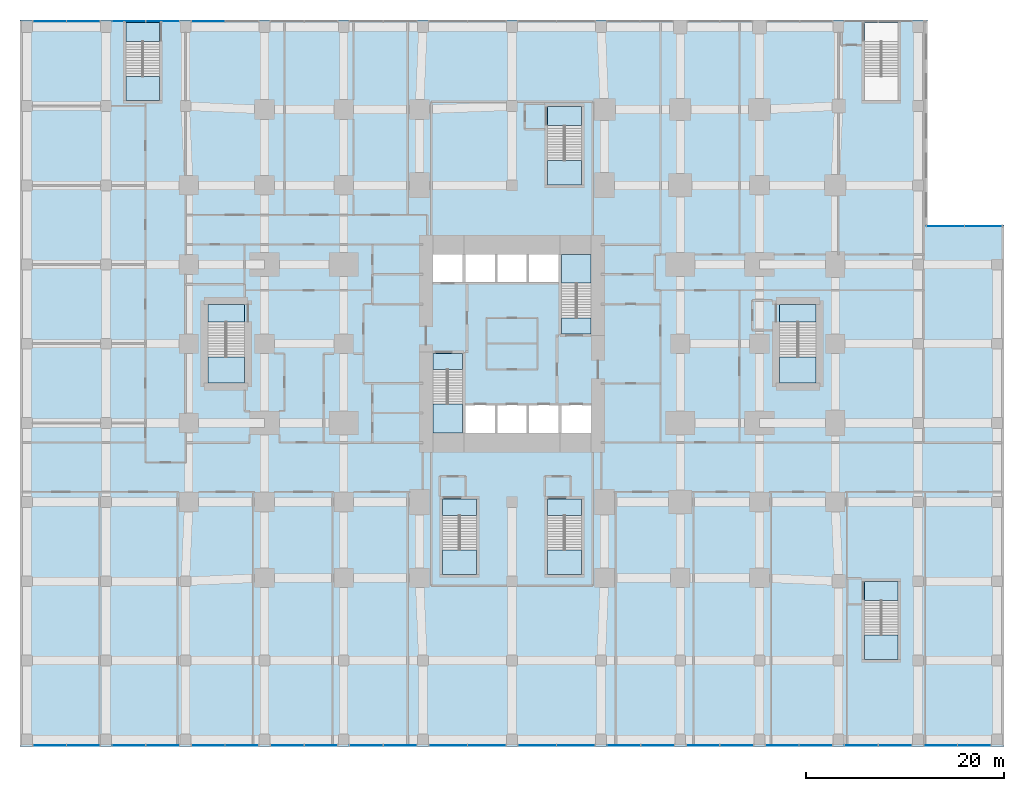
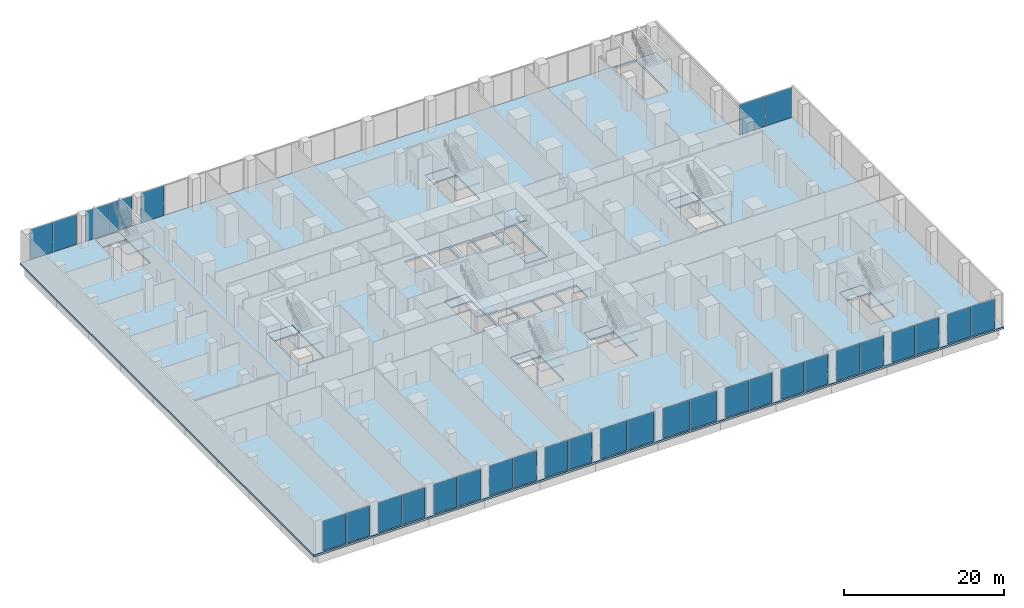
# One storey, part 9 of 22: 31 plates, 19 slabs, 25 elements without a shape of their own.
"""IFC4 building model written with IfcOpenShell, lengths in metres."""

from ifc_helpers import new_model, si_unit, direction, frame, origin, origin_2d, place, context, subcontext, project, spatial, polyline, rectangle, outline, extrude, material, layer, layer_set, type_object, element, aggregate, save


model = new_model("IFC4")

# Units and contexts
model_context = context("Model", 3, precision=1e-05, world=origin(), true_north=direction((0.0, 1.0)))
body_context = subcontext(model_context, "Body", "Model", "MODEL_VIEW")
ifc_project = project(units=[si_unit("LENGTHUNIT", "METRE"), si_unit("AREAUNIT", "SQUARE_METRE"), si_unit("VOLUMEUNIT", "CUBIC_METRE"), si_unit("PLANEANGLEUNIT", "RADIAN"), si_unit("MASSUNIT", "GRAM", prefix="KILO")], contexts=[model_context])

# Site, building, storey
site_placement = place(None, origin())
site = spatial("IfcSite", under=ifc_project, at=site_placement, CompositionType="ELEMENT")
building_placement = place(site_placement, origin())
building = spatial("IfcBuilding", under=site, at=building_placement, Name="Cleftline Residences", CompositionType="ELEMENT")
storey_placement = place(building_placement, frame((0.0, 0.0, 6.0)))
storey = spatial("IfcBuildingStorey", under=building, at=storey_placement, Name="L01", CompositionType="ELEMENT", Elevation=6.0)

# Curtain wall, plates
ifc_material_1 = material(Name="Aluminium framed curtain wall", Category="aluminium")
ifc_layer_1 = layer(ifc_material_1, 0.199951171875)
ifc_layer_set_1 = layer_set([ifc_layer_1], Name="CW2 PODIUM GLAZING")
curtain_wall_type = type_object("IfcCurtainWallType", Name="CW2 PODIUM GLAZING", PredefinedType="NOTDEFINED", material=ifc_layer_set_1)
curtain_wall_1_placement = place(storey_placement, origin())
curtain_wall_1 = element("IfcCurtainWall", 1, at=curtain_wall_1_placement, inside=storey, type_object=curtain_wall_type, Name="Curtain wall CW2", PredefinedType="NOTDEFINED")
ifc_material_2 = material(Name="Laminated clear glass", Category="glass")
ifc_layer_2 = layer(ifc_material_2, 0.028076171875)
ifc_layer_set_2 = layer_set([ifc_layer_2], Name="CW2 GLASS PANEL")
plate_type = type_object("IfcPlateType", Name="CW2 GLASS PANEL", PredefinedType="CURTAIN_PANEL", material=ifc_layer_set_2)
plate_1_placement = place(storey_placement, frame((80.617431640625, 35.875, 0.080078125), z_axis=(0.0, 0.0, 1.0), x_axis=(-1.0, 0.0, 0.0)))
plate_1 = element("IfcPlate", 2, at=plate_1_placement, type_object=plate_type, Name="CW2 panel 1.1", PredefinedType="CURTAIN_PANEL", context=body_context, shape_type="SweptSolid", body=[
    extrude(rectangle(XDim=3.7548828125, YDim=0.028076171875, at=origin_2d()), origin(), (0.0, 0.0, 1.0), 4.5400390625),
])
plate_2_placement = place(storey_placement, frame((76.782470703125, 35.875, 0.080078125), z_axis=(0.0, 0.0, 1.0), x_axis=(-1.0, 0.0, 0.0)))
plate_2 = element("IfcPlate", 3, at=plate_2_placement, type_object=plate_type, Name="CW2 panel 2.1", PredefinedType="CURTAIN_PANEL", context=body_context, shape_type="SweptSolid", body=[
    extrude(rectangle(XDim=3.7548828125, YDim=0.028076171875, at=origin_2d()), origin(), (0.0, 0.0, 1.0), 4.5400390625),
])
aggregate(curtain_wall_1, [plate_1, plate_2])

# Curtain wall, plate
curtain_wall_2_placement = place(storey_placement, origin())
curtain_wall_2 = element("IfcCurtainWall", 4, at=curtain_wall_2_placement, inside=storey, type_object=curtain_wall_type, Name="Curtain wall CW2", PredefinedType="NOTDEFINED")
plate_3_placement = place(storey_placement, frame((2.294921875, 56.574951171875, 0.080078125), z_axis=(0.0, 0.0, 1.0), x_axis=(-1.0, 0.0, 0.0)))
plate_3 = element("IfcPlate", 5, at=plate_3_placement, type_object=plate_type, Name="CW2 panel 2.1", PredefinedType="CURTAIN_PANEL", context=body_context, shape_type="SweptSolid", body=[
    extrude(rectangle(XDim=3.330078125, YDim=0.028076171875, at=origin_2d()), origin(), (0.0, 0.0, 1.0), 4.5400390625),
])
aggregate(curtain_wall_2, [plate_3])

# Curtain wall, plates
curtain_wall_3_placement = place(storey_placement, origin())
curtain_wall_3 = element("IfcCurtainWall", 6, at=curtain_wall_3_placement, inside=storey, type_object=curtain_wall_type, Name="Curtain wall CW2", PredefinedType="NOTDEFINED")
plate_4_placement = place(storey_placement, frame((-2.294921875, 56.574951171875, 0.080078125), z_axis=(0.0, 0.0, 1.0), x_axis=(-1.0, 0.0, 0.0)))
plate_4 = element("IfcPlate", 7, at=plate_4_placement, type_object=plate_type, Name="CW2 panel 1.1", PredefinedType="CURTAIN_PANEL", context=body_context, shape_type="SweptSolid", body=[
    extrude(rectangle(XDim=3.330078125, YDim=0.028076171875, at=origin_2d()), origin(), (0.0, 0.0, 1.0), 4.5400390625),
])
plate_5_placement = place(storey_placement, frame((-5.705078125, 56.574951171875, 0.080078125), z_axis=(0.0, 0.0, 1.0), x_axis=(-1.0, 0.0, 0.0)))
plate_5 = element("IfcPlate", 8, at=plate_5_placement, type_object=plate_type, Name="CW2 panel 2.1", PredefinedType="CURTAIN_PANEL", context=body_context, shape_type="SweptSolid", body=[
    extrude(rectangle(XDim=3.330078125, YDim=0.028076171875, at=origin_2d()), origin(), (0.0, 0.0, 1.0), 4.5400390625),
])
aggregate(curtain_wall_3, [plate_4, plate_5])

curtain_wall_4_placement = place(storey_placement, origin())
curtain_wall_4 = element("IfcCurtainWall", 9, at=curtain_wall_4_placement, inside=storey, type_object=curtain_wall_type, Name="Curtain wall CW2", PredefinedType="NOTDEFINED")
plate_6_placement = place(storey_placement, frame((-10.294921875, 56.574951171875, 0.080078125), z_axis=(0.0, 0.0, 1.0), x_axis=(-1.0, 0.0, 0.0)))
plate_6 = element("IfcPlate", 10, at=plate_6_placement, type_object=plate_type, Name="CW2 panel 1.1", PredefinedType="CURTAIN_PANEL", context=body_context, shape_type="SweptSolid", body=[
    extrude(rectangle(XDim=3.330078125, YDim=0.028076171875, at=origin_2d()), origin(), (0.0, 0.0, 1.0), 4.5400390625),
])
plate_7_placement = place(storey_placement, frame((-13.705078125, 56.574951171875, 0.080078125), z_axis=(0.0, 0.0, 1.0), x_axis=(-1.0, 0.0, 0.0)))
plate_7 = element("IfcPlate", 11, at=plate_7_placement, type_object=plate_type, Name="CW2 panel 2.1", PredefinedType="CURTAIN_PANEL", context=body_context, shape_type="SweptSolid", body=[
    extrude(rectangle(XDim=3.330078125, YDim=0.028076171875, at=origin_2d()), origin(), (0.0, 0.0, 1.0), 4.5400390625),
])
aggregate(curtain_wall_4, [plate_6, plate_7])

curtain_wall_5_placement = place(storey_placement, origin())
curtain_wall_5 = element("IfcCurtainWall", 12, at=curtain_wall_5_placement, inside=storey, type_object=curtain_wall_type, Name="Curtain wall CW2", PredefinedType="NOTDEFINED")
plate_8_placement = place(storey_placement, frame((-13.705078125, -16.574951171875, 0.080078125), z_axis=(0.0, 0.0, 1.0), x_axis=(1.0, 0.0, 0.0)))
plate_8 = element("IfcPlate", 13, at=plate_8_placement, type_object=plate_type, Name="CW2 panel 1.1", PredefinedType="CURTAIN_PANEL", context=body_context, shape_type="SweptSolid", body=[
    extrude(rectangle(XDim=3.330078125, YDim=0.028076171875, at=origin_2d()), origin(), (0.0, 0.0, 1.0), 4.5400390625),
])
plate_9_placement = place(storey_placement, frame((-10.294921875, -16.574951171875, 0.080078125), z_axis=(0.0, 0.0, 1.0), x_axis=(1.0, 0.0, 0.0)))
plate_9 = element("IfcPlate", 14, at=plate_9_placement, type_object=plate_type, Name="CW2 panel 2.1", PredefinedType="CURTAIN_PANEL", context=body_context, shape_type="SweptSolid", body=[
    extrude(rectangle(XDim=3.330078125, YDim=0.028076171875, at=origin_2d()), origin(), (0.0, 0.0, 1.0), 4.5400390625),
])
aggregate(curtain_wall_5, [plate_8, plate_9])

curtain_wall_6_placement = place(storey_placement, origin())
curtain_wall_6 = element("IfcCurtainWall", 15, at=curtain_wall_6_placement, inside=storey, type_object=curtain_wall_type, Name="Curtain wall CW2", PredefinedType="NOTDEFINED")
plate_10_placement = place(storey_placement, frame((-5.705078125, -16.574951171875, 0.080078125), z_axis=(0.0, 0.0, 1.0), x_axis=(1.0, 0.0, 0.0)))
plate_10 = element("IfcPlate", 16, at=plate_10_placement, type_object=plate_type, Name="CW2 panel 1.1", PredefinedType="CURTAIN_PANEL", context=body_context, shape_type="SweptSolid", body=[
    extrude(rectangle(XDim=3.330078125, YDim=0.028076171875, at=origin_2d()), origin(), (0.0, 0.0, 1.0), 4.5400390625),
])
plate_11_placement = place(storey_placement, frame((-2.294921875, -16.574951171875, 0.080078125), z_axis=(0.0, 0.0, 1.0), x_axis=(1.0, 0.0, 0.0)))
plate_11 = element("IfcPlate", 17, at=plate_11_placement, type_object=plate_type, Name="CW2 panel 2.1", PredefinedType="CURTAIN_PANEL", context=body_context, shape_type="SweptSolid", body=[
    extrude(rectangle(XDim=3.330078125, YDim=0.028076171875, at=origin_2d()), origin(), (0.0, 0.0, 1.0), 4.5400390625),
])
aggregate(curtain_wall_6, [plate_10, plate_11])

curtain_wall_7_placement = place(storey_placement, origin())
curtain_wall_7 = element("IfcCurtainWall", 18, at=curtain_wall_7_placement, inside=storey, type_object=curtain_wall_type, Name="Curtain wall CW2", PredefinedType="NOTDEFINED")
plate_12_placement = place(storey_placement, frame((2.294921875, -16.574951171875, 0.080078125), z_axis=(0.0, 0.0, 1.0), x_axis=(1.0, 0.0, 0.0)))
plate_12 = element("IfcPlate", 19, at=plate_12_placement, type_object=plate_type, Name="CW2 panel 1.1", PredefinedType="CURTAIN_PANEL", context=body_context, shape_type="SweptSolid", body=[
    extrude(rectangle(XDim=3.330078125, YDim=0.028076171875, at=origin_2d()), origin(), (0.0, 0.0, 1.0), 4.5400390625),
])
plate_13_placement = place(storey_placement, frame((5.705078125, -16.574951171875, 0.080078125), z_axis=(0.0, 0.0, 1.0), x_axis=(1.0, 0.0, 0.0)))
plate_13 = element("IfcPlate", 20, at=plate_13_placement, type_object=plate_type, Name="CW2 panel 2.1", PredefinedType="CURTAIN_PANEL", context=body_context, shape_type="SweptSolid", body=[
    extrude(rectangle(XDim=3.330078125, YDim=0.028076171875, at=origin_2d()), origin(), (0.0, 0.0, 1.0), 4.5400390625),
])
aggregate(curtain_wall_7, [plate_12, plate_13])

curtain_wall_8_placement = place(storey_placement, origin())
curtain_wall_8 = element("IfcCurtainWall", 21, at=curtain_wall_8_placement, inside=storey, type_object=curtain_wall_type, Name="Curtain wall CW2", PredefinedType="NOTDEFINED")
plate_14_placement = place(storey_placement, frame((10.294921875, -16.574951171875, 0.080078125), z_axis=(0.0, 0.0, 1.0), x_axis=(1.0, 0.0, 0.0)))
plate_14 = element("IfcPlate", 22, at=plate_14_placement, type_object=plate_type, Name="CW2 panel 1.1", PredefinedType="CURTAIN_PANEL", context=body_context, shape_type="SweptSolid", body=[
    extrude(rectangle(XDim=3.330078125, YDim=0.028076171875, at=origin_2d()), origin(), (0.0, 0.0, 1.0), 4.5400390625),
])
plate_15_placement = place(storey_placement, frame((13.705078125, -16.574951171875, 0.080078125), z_axis=(0.0, 0.0, 1.0), x_axis=(1.0, 0.0, 0.0)))
plate_15 = element("IfcPlate", 23, at=plate_15_placement, type_object=plate_type, Name="CW2 panel 2.1", PredefinedType="CURTAIN_PANEL", context=body_context, shape_type="SweptSolid", body=[
    extrude(rectangle(XDim=3.330078125, YDim=0.028076171875, at=origin_2d()), origin(), (0.0, 0.0, 1.0), 4.5400390625),
])
aggregate(curtain_wall_8, [plate_14, plate_15])

curtain_wall_9_placement = place(storey_placement, origin())
curtain_wall_9 = element("IfcCurtainWall", 24, at=curtain_wall_9_placement, inside=storey, type_object=curtain_wall_type, Name="Curtain wall CW2", PredefinedType="NOTDEFINED")
plate_16_placement = place(storey_placement, frame((18.294921875, -16.574951171875, 0.080078125), z_axis=(0.0, 0.0, 1.0), x_axis=(1.0, 0.0, 0.0)))
plate_16 = element("IfcPlate", 25, at=plate_16_placement, type_object=plate_type, Name="CW2 panel 1.1", PredefinedType="CURTAIN_PANEL", context=body_context, shape_type="SweptSolid", body=[
    extrude(rectangle(XDim=3.330078125, YDim=0.028076171875, at=origin_2d()), origin(), (0.0, 0.0, 1.0), 4.5400390625),
])
plate_17_placement = place(storey_placement, frame((21.705078125, -16.574951171875, 0.080078125), z_axis=(0.0, 0.0, 1.0), x_axis=(1.0, 0.0, 0.0)))
plate_17 = element("IfcPlate", 26, at=plate_17_placement, type_object=plate_type, Name="CW2 panel 2.1", PredefinedType="CURTAIN_PANEL", context=body_context, shape_type="SweptSolid", body=[
    extrude(rectangle(XDim=3.330078125, YDim=0.028076171875, at=origin_2d()), origin(), (0.0, 0.0, 1.0), 4.5400390625),
])
aggregate(curtain_wall_9, [plate_16, plate_17])

curtain_wall_10_placement = place(storey_placement, origin())
curtain_wall_10 = element("IfcCurtainWall", 27, at=curtain_wall_10_placement, inside=storey, type_object=curtain_wall_type, Name="Curtain wall CW2", PredefinedType="NOTDEFINED")
plate_18_placement = place(storey_placement, frame((26.544921875, -16.574951171875, 0.080078125), z_axis=(0.0, 0.0, 1.0), x_axis=(1.0, 0.0, 0.0)))
plate_18 = element("IfcPlate", 28, at=plate_18_placement, type_object=plate_type, Name="CW2 panel 1.1", PredefinedType="CURTAIN_PANEL", context=body_context, shape_type="SweptSolid", body=[
    extrude(rectangle(XDim=3.830078125, YDim=0.028076171875, at=origin_2d()), origin(), (0.0, 0.0, 1.0), 4.5400390625),
])
plate_19_placement = place(storey_placement, frame((30.455078125, -16.574951171875, 0.080078125), z_axis=(0.0, 0.0, 1.0), x_axis=(1.0, 0.0, 0.0)))
plate_19 = element("IfcPlate", 29, at=plate_19_placement, type_object=plate_type, Name="CW2 panel 2.1", PredefinedType="CURTAIN_PANEL", context=body_context, shape_type="SweptSolid", body=[
    extrude(rectangle(XDim=3.830078125, YDim=0.028076171875, at=origin_2d()), origin(), (0.0, 0.0, 1.0), 4.5400390625),
])
aggregate(curtain_wall_10, [plate_18, plate_19])

curtain_wall_11_placement = place(storey_placement, origin())
curtain_wall_11 = element("IfcCurtainWall", 30, at=curtain_wall_11_placement, inside=storey, type_object=curtain_wall_type, Name="Curtain wall CW2", PredefinedType="NOTDEFINED")
plate_20_placement = place(storey_placement, frame((35.544921875, -16.574951171875, 0.080078125), z_axis=(0.0, 0.0, 1.0), x_axis=(1.0, 0.0, 0.0)))
plate_20 = element("IfcPlate", 31, at=plate_20_placement, type_object=plate_type, Name="CW2 panel 1.1", PredefinedType="CURTAIN_PANEL", context=body_context, shape_type="SweptSolid", body=[
    extrude(rectangle(XDim=3.830078125, YDim=0.028076171875, at=origin_2d()), origin(), (0.0, 0.0, 1.0), 4.5400390625),
])
plate_21_placement = place(storey_placement, frame((39.455078125, -16.574951171875, 0.080078125), z_axis=(0.0, 0.0, 1.0), x_axis=(1.0, 0.0, 0.0)))
plate_21 = element("IfcPlate", 32, at=plate_21_placement, type_object=plate_type, Name="CW2 panel 2.1", PredefinedType="CURTAIN_PANEL", context=body_context, shape_type="SweptSolid", body=[
    extrude(rectangle(XDim=3.830078125, YDim=0.028076171875, at=origin_2d()), origin(), (0.0, 0.0, 1.0), 4.5400390625),
])
aggregate(curtain_wall_11, [plate_20, plate_21])

curtain_wall_12_placement = place(storey_placement, origin())
curtain_wall_12 = element("IfcCurtainWall", 33, at=curtain_wall_12_placement, inside=storey, type_object=curtain_wall_type, Name="Curtain wall CW2", PredefinedType="NOTDEFINED")
plate_22_placement = place(storey_placement, frame((44.294921875, -16.574951171875, 0.080078125), z_axis=(0.0, 0.0, 1.0), x_axis=(1.0, 0.0, 0.0)))
plate_22 = element("IfcPlate", 34, at=plate_22_placement, type_object=plate_type, Name="CW2 panel 1.1", PredefinedType="CURTAIN_PANEL", context=body_context, shape_type="SweptSolid", body=[
    extrude(rectangle(XDim=3.330078125, YDim=0.028076171875, at=origin_2d()), origin(), (0.0, 0.0, 1.0), 4.5400390625),
])
plate_23_placement = place(storey_placement, frame((47.705078125, -16.574951171875, 0.080078125), z_axis=(0.0, 0.0, 1.0), x_axis=(1.0, 0.0, 0.0)))
plate_23 = element("IfcPlate", 35, at=plate_23_placement, type_object=plate_type, Name="CW2 panel 2.1", PredefinedType="CURTAIN_PANEL", context=body_context, shape_type="SweptSolid", body=[
    extrude(rectangle(XDim=3.330078125, YDim=0.028076171875, at=origin_2d()), origin(), (0.0, 0.0, 1.0), 4.5400390625),
])
aggregate(curtain_wall_12, [plate_22, plate_23])

curtain_wall_13_placement = place(storey_placement, origin())
curtain_wall_13 = element("IfcCurtainWall", 36, at=curtain_wall_13_placement, inside=storey, type_object=curtain_wall_type, Name="Curtain wall CW2", PredefinedType="NOTDEFINED")
plate_24_placement = place(storey_placement, frame((52.294921875, -16.574951171875, 0.080078125), z_axis=(0.0, 0.0, 1.0), x_axis=(1.0, 0.0, 0.0)))
plate_24 = element("IfcPlate", 37, at=plate_24_placement, type_object=plate_type, Name="CW2 panel 1.1", PredefinedType="CURTAIN_PANEL", context=body_context, shape_type="SweptSolid", body=[
    extrude(rectangle(XDim=3.330078125, YDim=0.028076171875, at=origin_2d()), origin(), (0.0, 0.0, 1.0), 4.5400390625),
])
plate_25_placement = place(storey_placement, frame((55.705078125, -16.574951171875, 0.080078125), z_axis=(0.0, 0.0, 1.0), x_axis=(1.0, 0.0, 0.0)))
plate_25 = element("IfcPlate", 38, at=plate_25_placement, type_object=plate_type, Name="CW2 panel 2.1", PredefinedType="CURTAIN_PANEL", context=body_context, shape_type="SweptSolid", body=[
    extrude(rectangle(XDim=3.330078125, YDim=0.028076171875, at=origin_2d()), origin(), (0.0, 0.0, 1.0), 4.5400390625),
])
aggregate(curtain_wall_13, [plate_24, plate_25])

curtain_wall_14_placement = place(storey_placement, origin())
curtain_wall_14 = element("IfcCurtainWall", 39, at=curtain_wall_14_placement, inside=storey, type_object=curtain_wall_type, Name="Curtain wall CW2", PredefinedType="NOTDEFINED")
plate_26_placement = place(storey_placement, frame((60.294921875, -16.574951171875, 0.080078125), z_axis=(0.0, 0.0, 1.0), x_axis=(1.0, 0.0, 0.0)))
plate_26 = element("IfcPlate", 40, at=plate_26_placement, type_object=plate_type, Name="CW2 panel 1.1", PredefinedType="CURTAIN_PANEL", context=body_context, shape_type="SweptSolid", body=[
    extrude(rectangle(XDim=3.330078125, YDim=0.028076171875, at=origin_2d()), origin(), (0.0, 0.0, 1.0), 4.5400390625),
])
plate_27_placement = place(storey_placement, frame((63.705078125, -16.574951171875, 0.080078125), z_axis=(0.0, 0.0, 1.0), x_axis=(1.0, 0.0, 0.0)))
plate_27 = element("IfcPlate", 41, at=plate_27_placement, type_object=plate_type, Name="CW2 panel 2.1", PredefinedType="CURTAIN_PANEL", context=body_context, shape_type="SweptSolid", body=[
    extrude(rectangle(XDim=3.330078125, YDim=0.028076171875, at=origin_2d()), origin(), (0.0, 0.0, 1.0), 4.5400390625),
])
aggregate(curtain_wall_14, [plate_26, plate_27])

curtain_wall_15_placement = place(storey_placement, origin())
curtain_wall_15 = element("IfcCurtainWall", 42, at=curtain_wall_15_placement, inside=storey, type_object=curtain_wall_type, Name="Curtain wall CW2", PredefinedType="NOTDEFINED")
plate_28_placement = place(storey_placement, frame((68.294921875, -16.574951171875, 0.080078125), z_axis=(0.0, 0.0, 1.0), x_axis=(1.0, 0.0, 0.0)))
plate_28 = element("IfcPlate", 43, at=plate_28_placement, type_object=plate_type, Name="CW2 panel 1.1", PredefinedType="CURTAIN_PANEL", context=body_context, shape_type="SweptSolid", body=[
    extrude(rectangle(XDim=3.330078125, YDim=0.028076171875, at=origin_2d()), origin(), (0.0, 0.0, 1.0), 4.5400390625),
])
plate_29_placement = place(storey_placement, frame((71.705078125, -16.574951171875, 0.080078125), z_axis=(0.0, 0.0, 1.0), x_axis=(1.0, 0.0, 0.0)))
plate_29 = element("IfcPlate", 44, at=plate_29_placement, type_object=plate_type, Name="CW2 panel 2.1", PredefinedType="CURTAIN_PANEL", context=body_context, shape_type="SweptSolid", body=[
    extrude(rectangle(XDim=3.330078125, YDim=0.028076171875, at=origin_2d()), origin(), (0.0, 0.0, 1.0), 4.5400390625),
])
aggregate(curtain_wall_15, [plate_28, plate_29])

curtain_wall_16_placement = place(storey_placement, origin())
curtain_wall_16 = element("IfcCurtainWall", 45, at=curtain_wall_16_placement, inside=storey, type_object=curtain_wall_type, Name="Curtain wall CW2", PredefinedType="NOTDEFINED")
plate_30_placement = place(storey_placement, frame((76.294921875, -16.574951171875, 0.080078125), z_axis=(0.0, 0.0, 1.0), x_axis=(1.0, 0.0, 0.0)))
plate_30 = element("IfcPlate", 46, at=plate_30_placement, type_object=plate_type, Name="CW2 panel 1.1", PredefinedType="CURTAIN_PANEL", context=body_context, shape_type="SweptSolid", body=[
    extrude(rectangle(XDim=3.330078125, YDim=0.028076171875, at=origin_2d()), origin(), (0.0, 0.0, 1.0), 4.5400390625),
])
plate_31_placement = place(storey_placement, frame((79.705078125, -16.574951171875, 0.080078125), z_axis=(0.0, 0.0, 1.0), x_axis=(1.0, 0.0, 0.0)))
plate_31 = element("IfcPlate", 47, at=plate_31_placement, type_object=plate_type, Name="CW2 panel 2.1", PredefinedType="CURTAIN_PANEL", context=body_context, shape_type="SweptSolid", body=[
    extrude(rectangle(XDim=3.330078125, YDim=0.028076171875, at=origin_2d()), origin(), (0.0, 0.0, 1.0), 4.5400390625),
])
aggregate(curtain_wall_16, [plate_30, plate_31])

# Slab
ifc_material_3 = material(Name="Concrete B45", Category="concrete")
ifc_layer_3 = layer(ifc_material_3, 0.300048828125)
ifc_layer_set_3 = layer_set([ifc_layer_3], Name="FLOOR SLAB 300")
slab_type_1 = type_object("IfcSlabType", Name="FLOOR SLAB 300", PredefinedType="FLOOR", material=ifc_layer_set_3)
slab_1_placement = place(storey_placement, frame((0.0, 0.0, -0.300048828125)))
element("IfcSlab", 48, at=slab_1_placement, inside=storey, type_object=slab_type_1, Name="Floor slab L01", PredefinedType="FLOOR", context=body_context, shape_type="SweptSolid", body=[
    extrude(outline(polyline([(82.699951171875, 36.0), (74.949951171875, 36.0), (74.949951171875, 56.699951171875), (-16.699951171875, 56.699951171875), (-16.699951171875, -16.699951171875), (82.699951171875, -16.699951171875), (82.699951171875, 36.0)]), holes=[polyline([(28.0, 15.0), (28.0, 23.0), (25.0, 23.0), (25.0, 15.0), (28.0, 15.0)]), polyline([(41.0, 25.0), (41.0, 33.0), (38.0, 33.0), (38.0, 25.0), (41.0, 25.0)]), polyline([(28.0, 30.199951171875), (28.0, 33.0), (25.0, 33.0), (25.0, 30.199951171875), (28.0, 30.199951171875)]), polyline([(41.0, 15.0), (41.0, 17.800048828125), (38.0, 17.800048828125), (38.0, 15.0), (41.0, 15.0)]), polyline([(31.300048828125, 15.0), (31.300048828125, 17.800048828125), (28.300048828125, 17.800048828125), (28.300048828125, 15.0), (31.300048828125, 15.0)]), polyline([(34.5, 15.0), (34.5, 17.800048828125), (31.5, 17.800048828125), (31.5, 15.0), (34.5, 15.0)]), polyline([(37.699951171875, 15.0), (37.699951171875, 17.800048828125), (34.699951171875, 17.800048828125), (34.699951171875, 15.0), (37.699951171875, 15.0)]), polyline([(31.300048828125, 30.199951171875), (31.300048828125, 33.0), (28.300048828125, 33.0), (28.300048828125, 30.199951171875), (31.300048828125, 30.199951171875)]), polyline([(34.5, 30.199951171875), (34.5, 33.0), (31.5, 33.0), (31.5, 30.199951171875), (34.5, 30.199951171875)]), polyline([(37.699951171875, 30.199951171875), (37.699951171875, 33.0), (34.699951171875, 33.0), (34.699951171875, 30.199951171875), (37.699951171875, 30.199951171875)]), polyline([(29.39990234375, 0.699951171875), (29.39990234375, 8.300048828125), (26.0, 8.300048828125), (26.0, 0.699951171875), (29.39990234375, 0.699951171875)]), polyline([(40.0, 0.699951171875), (40.0, 8.300048828125), (36.60009765625, 8.300048828125), (36.60009765625, 0.699951171875), (40.0, 0.699951171875)]), polyline([(40.0, 40.050048828125), (40.0, 47.949951171875), (36.60009765625, 47.949951171875), (36.60009765625, 40.050048828125), (40.0, 40.050048828125)]), polyline([(63.72509765625, 20.02490234375), (63.72509765625, 27.97509765625), (60.02490234375, 27.97509765625), (60.02490234375, 20.02490234375), (63.72509765625, 20.02490234375)]), polyline([(72.0, 48.550048828125), (72.0, 56.449951171875), (68.60009765625, 56.449951171875), (68.60009765625, 48.550048828125), (72.0, 48.550048828125)]), polyline([(72.0, -7.89990234375), (72.0, 0.0), (68.60009765625, 0.0), (68.60009765625, -7.89990234375), (72.0, -7.89990234375)]), polyline([(-2.60009765625, 48.550048828125), (-2.60009765625, 56.449951171875), (-6.0, 56.449951171875), (-6.0, 48.550048828125), (-2.60009765625, 48.550048828125)]), polyline([(5.97509765625, 20.02490234375), (5.97509765625, 27.97509765625), (2.27490234375, 27.97509765625), (2.27490234375, 20.02490234375), (5.97509765625, 20.02490234375)])]), origin(), (0.0, 0.0, 1.0), 0.300048828125),
])

# Stair, slabs
ifc_material_4 = material(Name="Concrete B45, stone treads", Category="masonry")
stair_type_1 = type_object("IfcStairType", Name="STAIR A 1450 WIDE 179 RISER", PredefinedType="HALF_TURN_STAIR", material=ifc_material_4)
stair_1_placement = place(storey_placement, origin())
stair_1 = element("IfcStair", 49, at=stair_1_placement, inside=storey, type_object=stair_type_1, Name="Stair A L01", PredefinedType="HALF_TURN_STAIR")
ifc_material_5 = material(Name="Concrete B45", Category="concrete")
ifc_layer_4 = layer(ifc_material_5, 0.199951171875)
ifc_layer_set_4 = layer_set([ifc_layer_4], Name="STAIR LANDING 200")
slab_type_2 = type_object("IfcSlabType", Name="STAIR LANDING 200", PredefinedType="LANDING", material=ifc_layer_set_4)
slab_2_placement = place(storey_placement, frame((0.0, 0.0, -0.199951171875)))
slab_2 = element("IfcSlab", 50, at=slab_2_placement, type_object=slab_type_2, Name="ST-A landing 1", PredefinedType="LANDING", context=body_context, shape_type="SweptSolid", body=[
    extrude(outline(polyline([(25.0, 21.39990234375), (28.0, 21.39990234375), (28.0, 23.0), (25.0, 23.0), (25.0, 21.39990234375)])), origin(), (0.0, 0.0, 1.0), 0.199951171875),
])
slab_3_placement = place(storey_placement, frame((0.0, 0.0, 2.300048828125)))
slab_3 = element("IfcSlab", 51, at=slab_3_placement, type_object=slab_type_2, Name="ST-A landing 2", PredefinedType="LANDING", context=body_context, shape_type="SweptSolid", body=[
    extrude(outline(polyline([(25.0, 15.0), (28.0, 15.0), (28.0, 17.889892578125), (25.0, 17.889892578125), (25.0, 15.0)])), origin(), (0.0, 0.0, 1.0), 0.199951171875),
])
aggregate(stair_1, [slab_2, slab_3])

ifc_material_6 = material(Name="Concrete B45, stone treads", Category="masonry")
stair_type_2 = type_object("IfcStairType", Name="STAIR B 1450 WIDE 179 RISER", PredefinedType="HALF_TURN_STAIR", material=ifc_material_6)
stair_2_placement = place(storey_placement, origin())
stair_2 = element("IfcStair", 52, at=stair_2_placement, inside=storey, type_object=stair_type_2, Name="Stair B L01", PredefinedType="HALF_TURN_STAIR")
slab_4_placement = place(storey_placement, frame((0.0, 0.0, -0.199951171875)))
slab_4 = element("IfcSlab", 53, at=slab_4_placement, type_object=slab_type_2, Name="ST-B landing 1", PredefinedType="LANDING", context=body_context, shape_type="SweptSolid", body=[
    extrude(outline(polyline([(38.0, 25.0), (41.0, 25.0), (41.0, 26.60009765625), (38.0, 26.60009765625), (38.0, 25.0)])), origin(), (0.0, 0.0, 1.0), 0.199951171875),
])
slab_5_placement = place(storey_placement, frame((0.0, 0.0, 2.300048828125)))
slab_5 = element("IfcSlab", 54, at=slab_5_placement, type_object=slab_type_2, Name="ST-B landing 2", PredefinedType="LANDING", context=body_context, shape_type="SweptSolid", body=[
    extrude(outline(polyline([(38.0, 30.110107421875), (41.0, 30.110107421875), (41.0, 33.0), (38.0, 33.0), (38.0, 30.110107421875)])), origin(), (0.0, 0.0, 1.0), 0.199951171875),
])
aggregate(stair_2, [slab_4, slab_5])

ifc_material_7 = material(Name="Concrete B45, stone treads", Category="masonry")
stair_type_3 = type_object("IfcStairType", Name="STAIR C 1630 WIDE 179 RISER", PredefinedType="HALF_TURN_STAIR", material=ifc_material_7)
stair_3_placement = place(storey_placement, origin())
stair_3 = element("IfcStair", 55, at=stair_3_placement, inside=storey, type_object=stair_type_3, Name="Stair C L01", PredefinedType="HALF_TURN_STAIR")
slab_6_placement = place(storey_placement, frame((0.0, 0.0, -0.199951171875)))
slab_6 = element("IfcSlab", 56, at=slab_6_placement, type_object=slab_type_2, Name="ST-C landing 1", PredefinedType="LANDING", context=body_context, shape_type="SweptSolid", body=[
    extrude(outline(polyline([(26.0, 6.669921875), (29.39990234375, 6.669921875), (29.39990234375, 8.300048828125), (26.0, 8.300048828125), (26.0, 6.669921875)])), origin(), (0.0, 0.0, 1.0), 0.199951171875),
])
slab_7_placement = place(storey_placement, frame((0.0, 0.0, 2.300048828125)))
slab_7 = element("IfcSlab", 57, at=slab_7_placement, type_object=slab_type_2, Name="ST-C landing 2", PredefinedType="LANDING", context=body_context, shape_type="SweptSolid", body=[
    extrude(outline(polyline([(26.0, 0.699951171875), (29.39990234375, 0.699951171875), (29.39990234375, 3.159912109375), (26.0, 3.159912109375), (26.0, 0.699951171875)])), origin(), (0.0, 0.0, 1.0), 0.199951171875),
])
aggregate(stair_3, [slab_6, slab_7])

ifc_material_8 = material(Name="Concrete B45, stone treads", Category="masonry")
stair_type_4 = type_object("IfcStairType", Name="STAIR C2 1630 WIDE 179 RISER", PredefinedType="HALF_TURN_STAIR", material=ifc_material_8)
stair_4_placement = place(storey_placement, origin())
stair_4 = element("IfcStair", 58, at=stair_4_placement, inside=storey, type_object=stair_type_4, Name="Stair C2 L01", PredefinedType="HALF_TURN_STAIR")
slab_8_placement = place(storey_placement, frame((0.0, 0.0, -0.199951171875)))
slab_8 = element("IfcSlab", 59, at=slab_8_placement, type_object=slab_type_2, Name="ST-C2 landing 1", PredefinedType="LANDING", context=body_context, shape_type="SweptSolid", body=[
    extrude(outline(polyline([(36.60009765625, 6.669921875), (40.0, 6.669921875), (40.0, 8.300048828125), (36.60009765625, 8.300048828125), (36.60009765625, 6.669921875)])), origin(), (0.0, 0.0, 1.0), 0.199951171875),
])
slab_9_placement = place(storey_placement, frame((0.0, 0.0, 2.300048828125)))
slab_9 = element("IfcSlab", 60, at=slab_9_placement, type_object=slab_type_2, Name="ST-C2 landing 2", PredefinedType="LANDING", context=body_context, shape_type="SweptSolid", body=[
    extrude(outline(polyline([(36.60009765625, 0.699951171875), (40.0, 0.699951171875), (40.0, 3.159912109375), (36.60009765625, 3.159912109375), (36.60009765625, 0.699951171875)])), origin(), (0.0, 0.0, 1.0), 0.199951171875),
])
aggregate(stair_4, [slab_8, slab_9])

ifc_material_9 = material(Name="Concrete B45, stone treads", Category="masonry")
stair_type_5 = type_object("IfcStairType", Name="STAIR D 1630 WIDE 179 RISER", PredefinedType="HALF_TURN_STAIR", material=ifc_material_9)
stair_5_placement = place(storey_placement, origin())
stair_5 = element("IfcStair", 61, at=stair_5_placement, inside=storey, type_object=stair_type_5, Name="Stair D L01", PredefinedType="HALF_TURN_STAIR")
slab_10_placement = place(storey_placement, frame((0.0, 0.0, -0.199951171875)))
slab_10 = element("IfcSlab", 62, at=slab_10_placement, type_object=slab_type_2, Name="ST-D landing 1", PredefinedType="LANDING", context=body_context, shape_type="SweptSolid", body=[
    extrude(outline(polyline([(36.60009765625, 46.02001953125), (40.0, 46.02001953125), (40.0, 47.949951171875), (36.60009765625, 47.949951171875), (36.60009765625, 46.02001953125)])), origin(), (0.0, 0.0, 1.0), 0.199951171875),
])
slab_11_placement = place(storey_placement, frame((0.0, 0.0, 2.300048828125)))
slab_11 = element("IfcSlab", 63, at=slab_11_placement, type_object=slab_type_2, Name="ST-D landing 2", PredefinedType="LANDING", context=body_context, shape_type="SweptSolid", body=[
    extrude(outline(polyline([(36.60009765625, 40.050048828125), (40.0, 40.050048828125), (40.0, 42.510009765625), (36.60009765625, 42.510009765625), (36.60009765625, 40.050048828125)])), origin(), (0.0, 0.0, 1.0), 0.199951171875),
])
aggregate(stair_5, [slab_10, slab_11])

ifc_material_10 = material(Name="Concrete B45, stone treads", Category="masonry")
stair_type_6 = type_object("IfcStairType", Name="STAIR E 1800 WIDE 179 RISER", PredefinedType="HALF_TURN_STAIR", material=ifc_material_10)
stair_6_placement = place(storey_placement, origin())
stair_6 = element("IfcStair", 64, at=stair_6_placement, inside=storey, type_object=stair_type_6, Name="Stair E L01", PredefinedType="HALF_TURN_STAIR")
slab_12_placement = place(storey_placement, frame((0.0, 0.0, -0.199951171875)))
slab_12 = element("IfcSlab", 65, at=slab_12_placement, type_object=slab_type_2, Name="ST-E landing 1", PredefinedType="LANDING", context=body_context, shape_type="SweptSolid", body=[
    extrude(outline(polyline([(60.02490234375, 26.175048828125), (63.72509765625, 26.175048828125), (63.72509765625, 27.97509765625), (60.02490234375, 27.97509765625), (60.02490234375, 26.175048828125)])), origin(), (0.0, 0.0, 1.0), 0.199951171875),
])
slab_13_placement = place(storey_placement, frame((0.0, 0.0, 2.300048828125)))
slab_13 = element("IfcSlab", 66, at=slab_13_placement, type_object=slab_type_2, Name="ST-E landing 2", PredefinedType="LANDING", context=body_context, shape_type="SweptSolid", body=[
    extrude(outline(polyline([(60.02490234375, 20.02490234375), (63.72509765625, 20.02490234375), (63.72509765625, 22.6650390625), (60.02490234375, 22.6650390625), (60.02490234375, 20.02490234375)])), origin(), (0.0, 0.0, 1.0), 0.199951171875),
])
aggregate(stair_6, [slab_12, slab_13])

ifc_material_11 = material(Name="Concrete B45, stone treads", Category="masonry")
stair_type_7 = type_object("IfcStairType", Name="STAIR PS-S 1630 WIDE 179 RISER", PredefinedType="HALF_TURN_STAIR", material=ifc_material_11)
stair_7_placement = place(storey_placement, origin())
stair_7 = element("IfcStair", 67, at=stair_7_placement, inside=storey, type_object=stair_type_7, Name="Stair PS-S L01", PredefinedType="HALF_TURN_STAIR")
slab_14_placement = place(storey_placement, frame((0.0, 0.0, -0.199951171875)))
slab_14 = element("IfcSlab", 68, at=slab_14_placement, type_object=slab_type_2, Name="ST-PS-S landing 1", PredefinedType="LANDING", context=body_context, shape_type="SweptSolid", body=[
    extrude(outline(polyline([(68.60009765625, -1.929931640625), (72.0, -1.929931640625), (72.0, 0.0), (68.60009765625, 0.0), (68.60009765625, -1.929931640625)])), origin(), (0.0, 0.0, 1.0), 0.199951171875),
])
slab_15_placement = place(storey_placement, frame((0.0, 0.0, 2.300048828125)))
slab_15 = element("IfcSlab", 69, at=slab_15_placement, type_object=slab_type_2, Name="ST-PS-S landing 2", PredefinedType="LANDING", context=body_context, shape_type="SweptSolid", body=[
    extrude(outline(polyline([(68.60009765625, -7.89990234375), (72.0, -7.89990234375), (72.0, -5.43994140625), (68.60009765625, -5.43994140625), (68.60009765625, -7.89990234375)])), origin(), (0.0, 0.0, 1.0), 0.199951171875),
])
aggregate(stair_7, [slab_14, slab_15])

ifc_material_12 = material(Name="Concrete B45, stone treads", Category="masonry")
stair_type_8 = type_object("IfcStairType", Name="STAIR PS-W 1630 WIDE 179 RISER", PredefinedType="HALF_TURN_STAIR", material=ifc_material_12)
stair_8_placement = place(storey_placement, origin())
stair_8 = element("IfcStair", 70, at=stair_8_placement, inside=storey, type_object=stair_type_8, Name="Stair PS-W L01", PredefinedType="HALF_TURN_STAIR")
slab_16_placement = place(storey_placement, frame((0.0, 0.0, -0.199951171875)))
slab_16 = element("IfcSlab", 71, at=slab_16_placement, type_object=slab_type_2, Name="ST-PS-W landing 1", PredefinedType="LANDING", context=body_context, shape_type="SweptSolid", body=[
    extrude(outline(polyline([(-6.0, 54.52001953125), (-2.60009765625, 54.52001953125), (-2.60009765625, 56.449951171875), (-6.0, 56.449951171875), (-6.0, 54.52001953125)])), origin(), (0.0, 0.0, 1.0), 0.199951171875),
])
slab_17_placement = place(storey_placement, frame((0.0, 0.0, 2.300048828125)))
slab_17 = element("IfcSlab", 72, at=slab_17_placement, type_object=slab_type_2, Name="ST-PS-W landing 2", PredefinedType="LANDING", context=body_context, shape_type="SweptSolid", body=[
    extrude(outline(polyline([(-6.0, 48.550048828125), (-2.60009765625, 48.550048828125), (-2.60009765625, 51.010009765625), (-6.0, 51.010009765625), (-6.0, 48.550048828125)])), origin(), (0.0, 0.0, 1.0), 0.199951171875),
])
aggregate(stair_8, [slab_16, slab_17])

ifc_material_13 = material(Name="Concrete B45, stone treads", Category="masonry")
stair_type_9 = type_object("IfcStairType", Name="STAIR W 1800 WIDE 179 RISER", PredefinedType="HALF_TURN_STAIR", material=ifc_material_13)
stair_9_placement = place(storey_placement, origin())
stair_9 = element("IfcStair", 73, at=stair_9_placement, inside=storey, type_object=stair_type_9, Name="Stair W L01", PredefinedType="HALF_TURN_STAIR")
slab_18_placement = place(storey_placement, frame((0.0, 0.0, -0.199951171875)))
slab_18 = element("IfcSlab", 74, at=slab_18_placement, type_object=slab_type_2, Name="ST-W landing 1", PredefinedType="LANDING", context=body_context, shape_type="SweptSolid", body=[
    extrude(outline(polyline([(2.27490234375, 26.175048828125), (5.97509765625, 26.175048828125), (5.97509765625, 27.97509765625), (2.27490234375, 27.97509765625), (2.27490234375, 26.175048828125)])), origin(), (0.0, 0.0, 1.0), 0.199951171875),
])
slab_19_placement = place(storey_placement, frame((0.0, 0.0, 2.300048828125)))
slab_19 = element("IfcSlab", 75, at=slab_19_placement, type_object=slab_type_2, Name="ST-W landing 2", PredefinedType="LANDING", context=body_context, shape_type="SweptSolid", body=[
    extrude(outline(polyline([(2.27490234375, 20.02490234375), (5.97509765625, 20.02490234375), (5.97509765625, 22.6650390625), (2.27490234375, 22.6650390625), (2.27490234375, 20.02490234375)])), origin(), (0.0, 0.0, 1.0), 0.199951171875),
])
aggregate(stair_9, [slab_18, slab_19])

save(model, "model.ifc")
